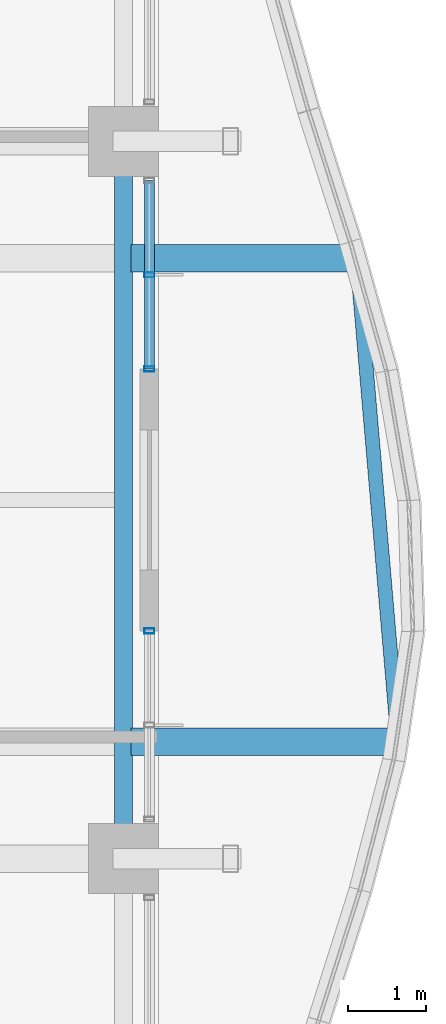
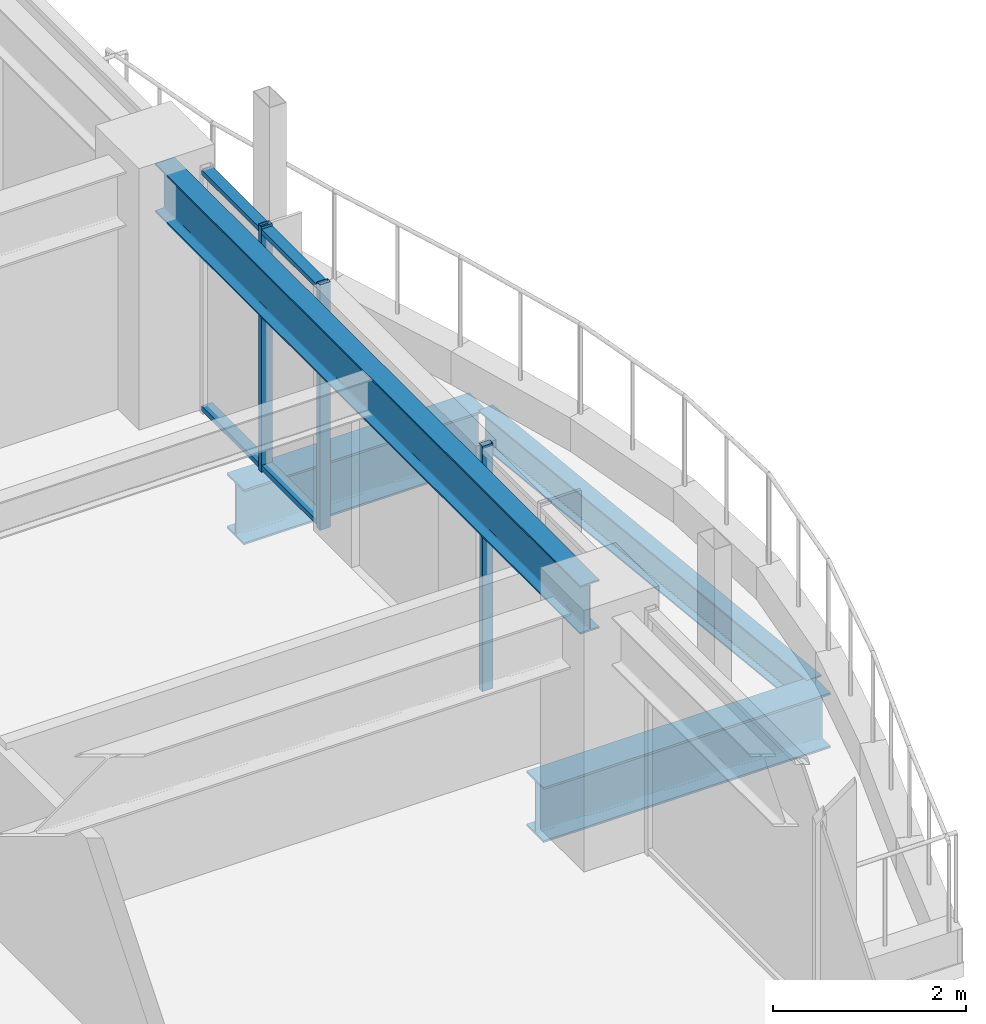
# One storey, part 17 of 35: 5 members, 4 beams, 2 elements without a shape of their own.
"""IFC4 building model written with IfcOpenShell, lengths in metres."""

from ifc_helpers import new_model, si_unit, direction, frame, origin, origin_2d, place, context, subcontext, project, spatial, hollow_rectangle, i_section, extrude, material, material_profile, profile_set, type_object, element, aggregate, save


model = new_model("IFC4")

# Units and contexts
model_context = context("Model", 3, precision=1e-05, world=origin(), true_north=direction((0.0, 1.0)))
body_context = subcontext(model_context, "Body", "Model", "MODEL_VIEW")
ifc_project = project(units=[si_unit("LENGTHUNIT", "METRE"), si_unit("AREAUNIT", "SQUARE_METRE"), si_unit("VOLUMEUNIT", "CUBIC_METRE"), si_unit("PLANEANGLEUNIT", "RADIAN"), si_unit("MASSUNIT", "GRAM", prefix="KILO")], contexts=[model_context])

# Site, building, storey
site_placement = place(None, origin())
site = spatial("IfcSite", under=ifc_project, at=site_placement, CompositionType="ELEMENT")
building_placement = place(site_placement, origin())
building = spatial("IfcBuilding", under=site, at=building_placement, Name="Kolvaren Belvedere", CompositionType="ELEMENT")
storey_placement = place(building_placement, frame((0.0, 0.0, 163.5)))
storey = spatial("IfcBuildingStorey", under=building, at=storey_placement, Name="L47", CompositionType="ELEMENT", Elevation=163.5)

# Beams
ifc_material_1 = material(Name="Structural steel ASTM A992 Grade 50", Category="steel")
ifc_material_profile_1 = material_profile(ifc_material_1, i_section(OverallWidth=0.35498046875, OverallDepth=0.696044921875, WebThickness=0.015380859375, FlangeThickness=0.02490234375, FilletRadius=0.02197265625, at=origin_2d()), Name="W27X146")
ifc_profile_set_1 = profile_set([ifc_material_profile_1], Name="Structural steel ASTM A992 Grade 50")
beam_type_1 = type_object("IfcBeamType", Name="BM-CANT-BAL", PredefinedType="BEAM", material=ifc_profile_set_1)
beam_1_placement = place(storey_placement, frame((18.7451171875, -3.10009765625, -0.548095703125), z_axis=(1.0, 0.0, 0.0), x_axis=(0.0, 1.0, 0.0)))
element("IfcBeam", 1, at=beam_1_placement, inside=storey, type_object=beam_type_1, Name="L47 Planted Balcony Cantilever BAL-E-1", PredefinedType="BEAM", context=body_context, shape_type="SweptSolid", body=[
    extrude(i_section(OverallWidth=0.35498046875, OverallDepth=0.696044921875, WebThickness=0.015380859375, FlangeThickness=0.02490234375, FilletRadius=0.02197265625, at=origin_2d()), origin(), (0.0, 0.0, 1.0), 3.42529296875),
])
beam_2_placement = place(storey_placement, frame((18.7451171875, 3.10009765625, -0.548095703125), z_axis=(1.0, 0.0, 0.0), x_axis=(0.0, 1.0, 0.0)))
element("IfcBeam", 2, at=beam_2_placement, inside=storey, type_object=beam_type_1, Name="L47 Planted Balcony Cantilever BAL-E-2", PredefinedType="BEAM", context=body_context, shape_type="SweptSolid", body=[
    extrude(i_section(OverallWidth=0.35498046875, OverallDepth=0.696044921875, WebThickness=0.015380859375, FlangeThickness=0.02490234375, FilletRadius=0.02197265625, at=origin_2d()), origin(), (0.0, 0.0, 1.0), 2.896240234375),
])
ifc_material_2 = material(Name="Structural steel ASTM A992 Grade 50", Category="steel")
ifc_material_profile_2 = material_profile(ifc_material_2, i_section(OverallWidth=0.180908203125, OverallDepth=0.4169921875, WebThickness=0.010986328125, FlangeThickness=0.018310546875, FilletRadius=0.013916015625, at=origin_2d()), Name="W16X57")
ifc_profile_set_2 = profile_set([ifc_material_profile_2], Name="Structural steel ASTM A992 Grade 50")
beam_type_2 = type_object("IfcBeamType", Name="BM-EDGE-W16X57", PredefinedType="BEAM", material=ifc_profile_set_2)
beam_3_placement = place(storey_placement, frame((22.15869140625, -2.96044921875, -0.408447265625), z_axis=(-0.08504456119, 0.996377148781, 0.0), x_axis=(-0.996377148781, -0.08504456119, 0.0)))
element("IfcBeam", 3, at=beam_3_placement, inside=storey, type_object=beam_type_2, Name="L47 Balcony Tip Header Beam BAL-E", PredefinedType="BEAM", context=body_context, shape_type="SweptSolid", body=[
    extrude(i_section(OverallWidth=0.180908203125, OverallDepth=0.4169921875, WebThickness=0.010986328125, FlangeThickness=0.018310546875, FilletRadius=0.013916015625, at=origin_2d()), origin(), (0.0, 0.0, 1.0), 5.9423828125),
])
ifc_material_3 = material(Name="Structural steel ASTM A992 Grade 50", Category="steel")
ifc_material_profile_3 = material_profile(ifc_material_3, i_section(OverallWidth=0.22900390625, OverallDepth=0.612060546875, WebThickness=0.011962890625, FlangeThickness=0.01953125, FilletRadius=0.01806640625, at=origin_2d()), Name="W24X84")
ifc_profile_set_3 = profile_set([ifc_material_profile_3], Name="Structural steel ASTM A992 Grade 50")
beam_type_3 = type_object("IfcBeamType", Name="BM-SPAN-W24X84", PredefinedType="SPANDREL", material=ifc_profile_set_3)
beam_4_placement = place(storey_placement, frame((18.64990234375, -4.3974609375, 2.7939453125), z_axis=(0.0, 1.0, 0.0), x_axis=(-1.0, 0.0, 0.0)))
element("IfcBeam", 4, at=beam_4_placement, inside=storey, type_object=beam_type_3, Name="L47 Perimeter Spandrel E2-E3", PredefinedType="SPANDREL", context=body_context, shape_type="SweptSolid", body=[
    extrude(i_section(OverallWidth=0.22900390625, OverallDepth=0.612060546875, WebThickness=0.011962890625, FlangeThickness=0.01953125, FilletRadius=0.01806640625, at=origin_2d()), origin(), (0.0, 0.0, 1.0), 8.794921875),
])

# Curtain wall, members
ifc_material_4 = material(Name="Anodised pale-metal aluminium AA 6063-T6", Category="aluminium")
curtain_wall_type = type_object("IfcCurtainWallType", Name="CW-Z3-WAIST", PredefinedType="NOTDEFINED", material=ifc_material_4)
curtain_wall_1_placement = place(storey_placement, origin())
curtain_wall_1 = element("IfcCurtainWall", 5, at=curtain_wall_1_placement, inside=storey, type_object=curtain_wall_type, Name="L47 Unitised Curtain Wall FCW-L47-E1-B2", PredefinedType="NOTDEFINED")
ifc_material_5 = material(Name="Anodised pale-metal aluminium AA 6063-T6", Category="aluminium")
ifc_material_profile_4 = material_profile(ifc_material_5, hollow_rectangle(XDim=0.06494140625, YDim=0.1298828125, WallThickness=0.00390625, at=origin_2d()), Name="ALU-MUL-130X65")
ifc_profile_set_4 = profile_set([ifc_material_profile_4], Name="Anodised pale-metal aluminium AA 6063-T6")
member_type_1 = type_object("IfcMemberType", Name="CW-MUL-130", PredefinedType="MULLION", material=ifc_profile_set_4)
member_1_placement = place(storey_placement, frame((18.97998046875, 2.888671875, 0.0), z_axis=(0.0, 0.0, 1.0), x_axis=(0.0, 1.0, 0.0)))
member_1 = element("IfcMember", 6, at=member_1_placement, type_object=member_type_1, Name="FCW-L47-E1-B2 Unitised Mullion 2", PredefinedType="MULLION", context=body_context, shape_type="SweptSolid", body=[
    extrude(hollow_rectangle(XDim=0.06494140625, YDim=0.1298828125, WallThickness=0.00390625, at=origin_2d()), origin(), (0.0, 0.0, 1.0), 3.10009765625),
])
member_2_placement = place(storey_placement, frame((18.97998046875, 1.679931640625, 0.0), z_axis=(0.0, 0.0, 1.0), x_axis=(0.0, 1.0, 0.0)))
member_2 = element("IfcMember", 7, at=member_2_placement, type_object=member_type_1, Name="FCW-L47-E1-B2 Unitised Mullion 3", PredefinedType="MULLION", context=body_context, shape_type="SweptSolid", body=[
    extrude(hollow_rectangle(XDim=0.06494140625, YDim=0.1298828125, WallThickness=0.00390625, at=origin_2d()), origin(), (0.0, 0.0, 1.0), 3.10009765625),
])

# Curtain wall, member
curtain_wall_2_placement = place(storey_placement, origin())
curtain_wall_2 = element("IfcCurtainWall", 8, at=curtain_wall_2_placement, inside=storey, type_object=curtain_wall_type, Name="L47 Unitised Curtain Wall FCW-L47-E2-B1", PredefinedType="NOTDEFINED")
member_3_placement = place(storey_placement, frame((18.97998046875, -1.679931640625, 0.0), z_axis=(0.0, 0.0, 1.0), x_axis=(0.0, 1.0, 0.0)))
member_3 = element("IfcMember", 9, at=member_3_placement, type_object=member_type_1, Name="FCW-L47-E2-B1 Unitised Mullion 1", PredefinedType="MULLION", context=body_context, shape_type="SweptSolid", body=[
    extrude(hollow_rectangle(XDim=0.06494140625, YDim=0.1298828125, WallThickness=0.00390625, at=origin_2d()), origin(), (0.0, 0.0, 1.0), 3.10009765625),
])
aggregate(curtain_wall_2, [member_3])

# Member
ifc_material_6 = material(Name="Anodised pale-metal aluminium AA 6063-T6", Category="aluminium")
ifc_material_profile_5 = material_profile(ifc_material_6, hollow_rectangle(XDim=0.06005859375, YDim=0.1298828125, WallThickness=0.00390625, at=origin_2d()), Name="ALU-TRN-130X60")
ifc_profile_set_5 = profile_set([ifc_material_profile_5], Name="Anodised pale-metal aluminium AA 6063-T6")
member_type_2 = type_object("IfcMemberType", Name="CW-TRN-130", PredefinedType="USERDEFINED", material=ifc_profile_set_5)
member_4_placement = place(storey_placement, frame((18.97998046875, 4.097412109375, 0.06005859375), z_axis=(0.0, -1.0, 0.0), x_axis=(0.0, 0.0, 1.0)))
member_4 = element("IfcMember", 10, at=member_4_placement, type_object=member_type_2, Name="FCW-L47-E1-B2 Sill Transom", ObjectType="TRANSOM", PredefinedType="USERDEFINED", context=body_context, shape_type="SweptSolid", body=[
    extrude(hollow_rectangle(XDim=0.06005859375, YDim=0.1298828125, WallThickness=0.00390625, at=origin_2d()), origin(), (0.0, 0.0, 1.0), 2.41748046875),
])

member_5_placement = place(storey_placement, frame((18.97998046875, 4.097412109375, 3.0400390625), z_axis=(0.0, -1.0, 0.0), x_axis=(0.0, 0.0, 1.0)))
member_5 = element("IfcMember", 11, at=member_5_placement, type_object=member_type_2, Name="FCW-L47-E1-B2 Head Transom", ObjectType="TRANSOM", PredefinedType="USERDEFINED", context=body_context, shape_type="SweptSolid", body=[
    extrude(hollow_rectangle(XDim=0.06005859375, YDim=0.1298828125, WallThickness=0.00390625, at=origin_2d()), origin(), (0.0, 0.0, 1.0), 2.41748046875),
])

aggregate(curtain_wall_1, [member_1, member_2, member_4, member_5])

save(model, "model.ifc")
